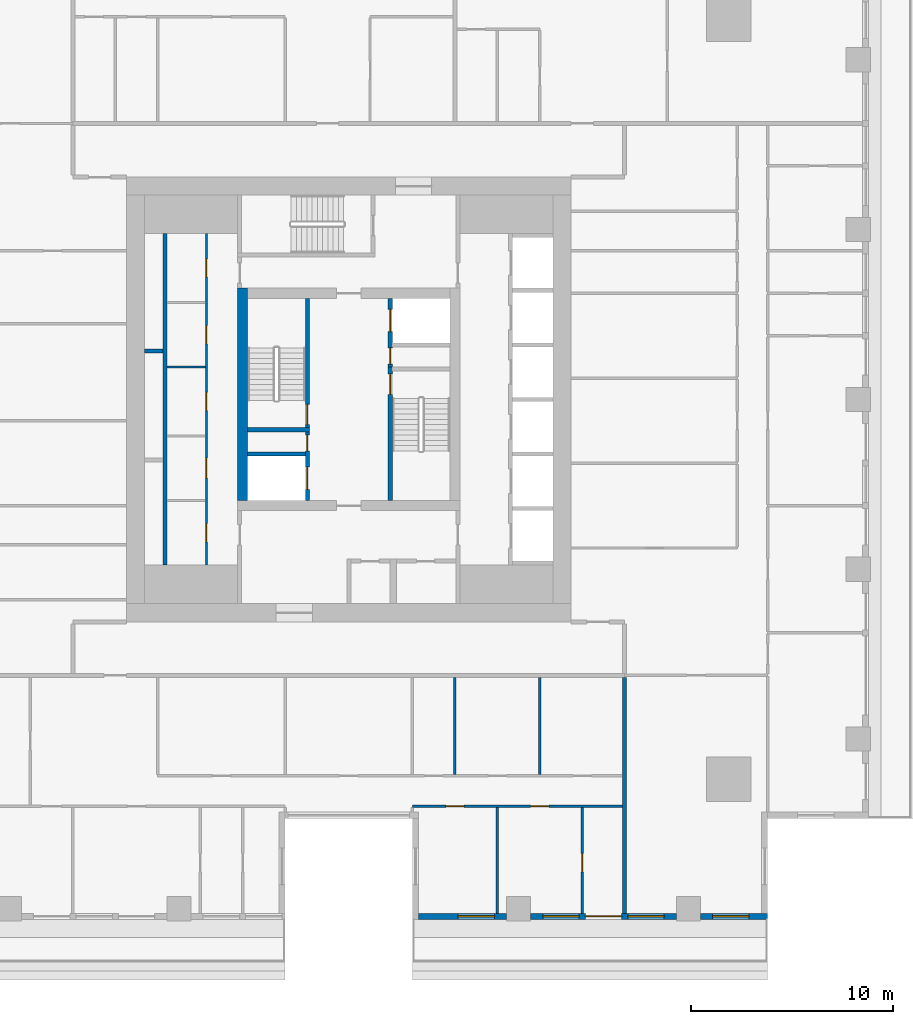
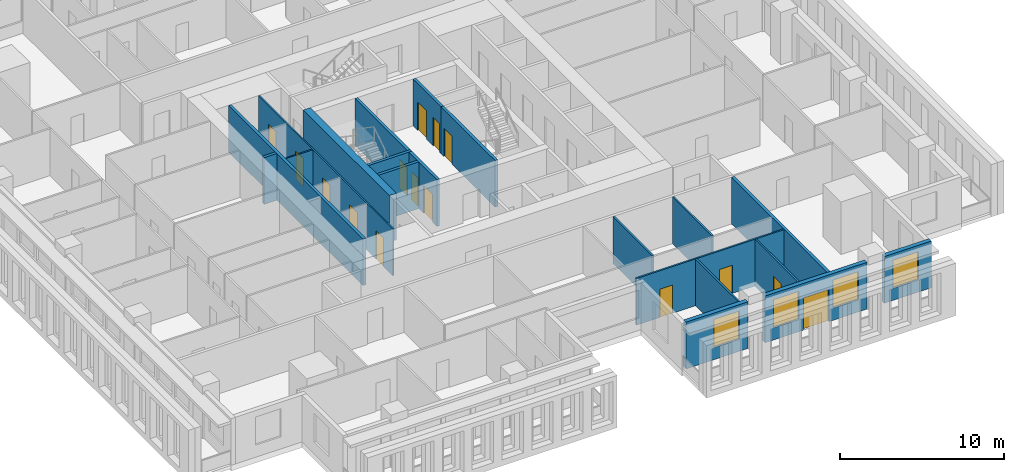
# One storey, part 4 of 15: 20 walls, 15 doors, 4 windows, 19 openings.
"""IFC4 building model written with IfcOpenShell, lengths in metres."""

from ifc_helpers import new_model, si_unit, direction, frame, frame_2d, origin, place, context, subcontext, project, spatial, rectangle, extrude, material, layer, layer_set, type_object, element, fill, save


model = new_model("IFC4")

# Units and contexts
model_context = context("Model", 3, precision=1e-05, world=origin(), true_north=direction((0.0, 1.0)))
body_context = subcontext(model_context, "Body", "Model", "MODEL_VIEW")
ifc_project = project(units=[si_unit("LENGTHUNIT", "METRE"), si_unit("AREAUNIT", "SQUARE_METRE"), si_unit("VOLUMEUNIT", "CUBIC_METRE"), si_unit("PLANEANGLEUNIT", "RADIAN"), si_unit("MASSUNIT", "GRAM", prefix="KILO")], contexts=[model_context])

# Site, building, storey
site_placement = place(None, origin())
site = spatial("IfcSite", under=ifc_project, at=site_placement, CompositionType="ELEMENT")
building_placement = place(site_placement, origin())
building = spatial("IfcBuilding", under=site, at=building_placement, Name="Khepri Terraces", CompositionType="ELEMENT")
storey_placement = place(building_placement, frame((0.0, 0.0, 244.5)))
storey = spatial("IfcBuildingStorey", under=building, at=storey_placement, Name="L58", CompositionType="ELEMENT", Elevation=244.5)

# Wall, opening, door
ifc_material_1 = material(Name="Concrete C40/50", Category="concrete")
ifc_layer_1 = layer(ifc_material_1, 0.199951171875, Name="Concrete C40/50", Category="concrete")
ifc_layer_set_1 = layer_set([ifc_layer_1], Name="Concrete C40/50")
wall_type_1 = type_object("IfcWallType", Name="Core wall 200 C40/50", PredefinedType="SHEAR", material=ifc_layer_set_1)
wall_1_placement = place(storey_placement, frame((2.050048828125, -5.0, 0.0), z_axis=(0.0, 0.0, 1.0), x_axis=(0.0, 1.0, 0.0)))
wall_1 = element("IfcWall", 1, at=wall_1_placement, inside=storey, type_object=wall_type_1, Name="Core wall ST01 L58", PredefinedType="SHEAR", context=body_context, shape_type="SweptSolid", body=[
    extrude(rectangle(XDim=6.60009765625, YDim=0.199951171875, at=frame_2d((3.300048828125, 0.0))), origin(), (0.0, 0.0, 1.0), 3.47998046875),
])
opening_1_placement = place(wall_1_placement, frame((5.25, 0.0, 0.0)))
opening_1 = element("IfcOpeningElement", 2, at=opening_1_placement, cuts=wall_1, Name="Opening L58-C10", PredefinedType="OPENING", context=body_context, shape_type="SweptSolid", body=[
    extrude(rectangle(XDim=1.0, YDim=2.10009765625, at=frame_2d((0.5, 1.050048828125))), frame((0.0, 0.10986328125, 0.0), z_axis=(0.0, -1.0, 0.0), x_axis=(1.0, 0.0, 0.0)), (0.0, 0.0, 1.0), 0.219970703125),
])
ifc_material_2 = material(Name="Painted steel", Category="steel")
door_type_1 = type_object("IfcDoorType", Name="DR-CORE-STAIR-1000", OperationType="NOTDEFINED", PredefinedType="DOOR", material=ifc_material_2)
door_1_placement = place(opening_1_placement, frame((1.0, 0.0, 0.0), z_axis=(0.0, 0.0, 1.0), x_axis=(-1.0, 0.0, 0.0)))
door_1 = element("IfcDoor", 3, at=door_1_placement, inside=storey, type_object=door_type_1, Name="Stair door L58-C10", OperationType="SINGLE_SWING_LEFT", OverallHeight=2.10009765625, OverallWidth=1.0, PredefinedType="DOOR", context=body_context, shape_type="SweptSolid", body=[
    extrude(rectangle(XDim=1.0, YDim=2.10009765625, at=frame_2d((0.5, 1.050048828125))), frame((0.0, 0.02490234375, 0.0), z_axis=(0.0, -1.0, 0.0), x_axis=(1.0, 0.0, 0.0)), (0.0, 0.0, 1.0), 0.050048828125),
])
fill(opening_1, door_1)

# Wall
wall_2_placement = place(storey_placement, frame((-5.0, -1.5, 0.0), z_axis=(0.0, 0.0, 1.0), x_axis=(1.0, 0.0, 0.0)))
element("IfcWall", 4, at=wall_2_placement, inside=storey, type_object=wall_type_1, Name="Core wall ST02 L58", PredefinedType="SHEAR", context=body_context, shape_type="SweptSolid", body=[
    extrude(rectangle(XDim=3.050048828125, YDim=0.199951171875, at=frame_2d((1.52490234375, 0.0))), origin(), (0.0, 0.0, 1.0), 3.47998046875),
])

# Wall, opening, door
wall_3_placement = place(storey_placement, frame((-2.050048828125, -1.39990234375, 0.0), z_axis=(0.0, 0.0, 1.0), x_axis=(0.0, 1.0, 0.0)))
wall_3 = element("IfcWall", 5, at=wall_3_placement, inside=storey, type_object=wall_type_1, Name="Core wall ST03 L58", PredefinedType="SHEAR", context=body_context, shape_type="SweptSolid", body=[
    extrude(rectangle(XDim=6.39990234375, YDim=0.199951171875, at=frame_2d((3.199951171875, 0.0))), origin(), (0.0, 0.0, 1.0), 3.47998046875),
])
opening_2_placement = place(wall_3_placement, frame((0.14990234375, 0.0, 0.0)))
opening_2 = element("IfcOpeningElement", 6, at=opening_2_placement, cuts=wall_3, Name="Opening L58-C09", PredefinedType="OPENING", context=body_context, shape_type="SweptSolid", body=[
    extrude(rectangle(XDim=1.0, YDim=2.10009765625, at=frame_2d((0.5, 1.050048828125))), frame((0.0, 0.10986328125, 0.0), z_axis=(0.0, -1.0, 0.0), x_axis=(1.0, 0.0, 0.0)), (0.0, 0.0, 1.0), 0.219970703125),
])
door_2_placement = place(opening_2_placement, origin())
door_2 = element("IfcDoor", 7, at=door_2_placement, inside=storey, type_object=door_type_1, Name="Stair door L58-C09", OperationType="SINGLE_SWING_LEFT", OverallHeight=2.10009765625, OverallWidth=1.0, PredefinedType="DOOR", context=body_context, shape_type="SweptSolid", body=[
    extrude(rectangle(XDim=1.0, YDim=2.10009765625, at=frame_2d((0.5, 1.050048828125))), frame((0.0, 0.02490234375, 0.0), z_axis=(0.0, -1.0, 0.0), x_axis=(1.0, 0.0, 0.0)), (0.0, 0.0, 1.0), 0.050048828125),
])
fill(opening_2, door_2)

# Wall
wall_4_placement = place(storey_placement, frame((-9.10009765625, -8.199951171875, 0.0), z_axis=(0.0, 0.0, 1.0), x_axis=(0.0, 1.0, 0.0)))
element("IfcWall", 8, at=wall_4_placement, inside=storey, type_object=wall_type_1, Name="Core wall SH01 L58", PredefinedType="SHEAR", context=body_context, shape_type="SweptSolid", body=[
    extrude(rectangle(XDim=16.39990234375, YDim=0.199951171875, at=frame_2d((8.199951171875, 0.0))), origin(), (0.0, 0.0, 1.0), 3.47998046875),
])

# Wall, openings, doors
wall_5_placement = place(storey_placement, frame((-2.050048828125, -5.0, 0.0), z_axis=(0.0, 0.0, 1.0), x_axis=(0.0, 1.0, 0.0)))
wall_5 = element("IfcWall", 9, at=wall_5_placement, inside=storey, type_object=wall_type_1, Name="Core wall SH05 L58", PredefinedType="SHEAR", context=body_context, shape_type="SweptSolid", body=[
    extrude(rectangle(XDim=3.39990234375, YDim=0.199951171875, at=frame_2d((1.699951171875, 0.0))), origin(), (0.0, 0.0, 1.0), 3.47998046875),
])
opening_3_placement = place(wall_5_placement, frame((0.550048828125, 0.0, 0.0)))
opening_3 = element("IfcOpeningElement", 10, at=opening_3_placement, cuts=wall_5, Name="Opening L58-C08", PredefinedType="OPENING", context=body_context, shape_type="SweptSolid", body=[
    extrude(rectangle(XDim=1.10009765625, YDim=2.10009765625, at=frame_2d((0.550048828125, 1.050048828125))), frame((0.0, 0.10986328125, 0.0), z_axis=(0.0, -1.0, 0.0), x_axis=(1.0, 0.0, 0.0)), (0.0, 0.0, 1.0), 0.219970703125),
])
opening_4_placement = place(wall_5_placement, frame((2.449951171875, 0.0, 0.0)))
opening_4 = element("IfcOpeningElement", 11, at=opening_4_placement, cuts=wall_5, Name="Opening L58-C12", PredefinedType="OPENING", context=body_context, shape_type="SweptSolid", body=[
    extrude(rectangle(XDim=0.800048828125, YDim=2.10009765625, at=frame_2d((0.39990234375, 1.050048828125))), frame((0.0, 0.10986328125, 0.0), z_axis=(0.0, -1.0, 0.0), x_axis=(1.0, 0.0, 0.0)), (0.0, 0.0, 1.0), 0.219970703125),
])
ifc_material_3 = material(Name="Stainless steel 304", Category="steel")
door_type_2 = type_object("IfcDoorType", Name="DR-CORE-FF-LANDING-1100", OperationType="NOTDEFINED", PredefinedType="DOOR", material=ifc_material_3)
door_3_placement = place(opening_3_placement, origin())
door_3 = element("IfcDoor", 12, at=door_3_placement, inside=storey, type_object=door_type_2, Name="Firefighting lift landing door L58-C08", OperationType="SLIDING_TO_LEFT", OverallHeight=2.10009765625, OverallWidth=1.10009765625, PredefinedType="DOOR", context=body_context, shape_type="SweptSolid", body=[
    extrude(rectangle(XDim=1.10009765625, YDim=2.10009765625, at=frame_2d((0.550048828125, 1.050048828125))), frame((0.0, 0.02490234375, 0.0), z_axis=(0.0, -1.0, 0.0), x_axis=(1.0, 0.0, 0.0)), (0.0, 0.0, 1.0), 0.050048828125),
])
fill(opening_3, door_3)
door_type_3 = type_object("IfcDoorType", Name="DR-CORE-RISER-800", OperationType="NOTDEFINED", PredefinedType="DOOR", material=ifc_material_2)
door_4_placement = place(opening_4_placement, origin())
door_4 = element("IfcDoor", 13, at=door_4_placement, inside=storey, type_object=door_type_3, Name="Riser door L58-C12", OperationType="SINGLE_SWING_RIGHT", OverallHeight=2.10009765625, OverallWidth=0.800048828125, PredefinedType="DOOR", context=body_context, shape_type="SweptSolid", body=[
    extrude(rectangle(XDim=0.800048828125, YDim=2.10009765625, at=frame_2d((0.39990234375, 1.050048828125))), frame((0.0, 0.02490234375, 0.0), z_axis=(0.0, -1.0, 0.0), x_axis=(1.0, 0.0, 0.0)), (0.0, 0.0, 1.0), 0.050048828125),
])
fill(opening_4, door_4)

# Wall
wall_6_placement = place(storey_placement, frame((-5.0, -2.699951171875, 0.0), z_axis=(0.0, 0.0, 1.0), x_axis=(1.0, 0.0, 0.0)))
element("IfcWall", 14, at=wall_6_placement, inside=storey, type_object=wall_type_1, Name="Core wall SH07 L58", PredefinedType="SHEAR", context=body_context, shape_type="SweptSolid", body=[
    extrude(rectangle(XDim=2.85009765625, YDim=0.199951171875, at=frame_2d((1.425048828125, 0.0))), origin(), (0.0, 0.0, 1.0), 3.47998046875),
])

# Wall, openings, doors
wall_7_placement = place(storey_placement, frame((2.050048828125, 1.60009765625, 0.0), z_axis=(0.0, 0.0, 1.0), x_axis=(0.0, 1.0, 0.0)))
wall_7 = element("IfcWall", 15, at=wall_7_placement, inside=storey, type_object=wall_type_1, Name="Core wall SH10 L58", PredefinedType="SHEAR", context=body_context, shape_type="SweptSolid", body=[
    extrude(rectangle(XDim=3.39990234375, YDim=0.199951171875, at=frame_2d((1.699951171875, 0.0))), origin(), (0.0, 0.0, 1.0), 3.47998046875),
])
opening_5_placement = place(wall_7_placement, frame((1.75, 0.0, 0.0)))
opening_5 = element("IfcOpeningElement", 16, at=opening_5_placement, cuts=wall_7, Name="Opening L58-C07", PredefinedType="OPENING", context=body_context, shape_type="SweptSolid", body=[
    extrude(rectangle(XDim=1.10009765625, YDim=2.10009765625, at=frame_2d((0.550048828125, 1.050048828125))), frame((0.0, 0.10986328125, 0.0), z_axis=(0.0, -1.0, 0.0), x_axis=(1.0, 0.0, 0.0)), (0.0, 0.0, 1.0), 0.219970703125),
])
opening_6_placement = place(wall_7_placement, frame((0.14990234375, 0.0, 0.0)))
opening_6 = element("IfcOpeningElement", 17, at=opening_6_placement, cuts=wall_7, Name="Opening L58-C11", PredefinedType="OPENING", context=body_context, shape_type="SweptSolid", body=[
    extrude(rectangle(XDim=0.800048828125, YDim=2.10009765625, at=frame_2d((0.39990234375, 1.050048828125))), frame((0.0, 0.10986328125, 0.0), z_axis=(0.0, -1.0, 0.0), x_axis=(1.0, 0.0, 0.0)), (0.0, 0.0, 1.0), 0.219970703125),
])
door_5_placement = place(opening_5_placement, origin())
door_5 = element("IfcDoor", 18, at=door_5_placement, inside=storey, type_object=door_type_2, Name="Firefighting lift landing door L58-C07", OperationType="SLIDING_TO_LEFT", OverallHeight=2.10009765625, OverallWidth=1.10009765625, PredefinedType="DOOR", context=body_context, shape_type="SweptSolid", body=[
    extrude(rectangle(XDim=1.10009765625, YDim=2.10009765625, at=frame_2d((0.550048828125, 1.050048828125))), frame((0.0, 0.02490234375, 0.0), z_axis=(0.0, -1.0, 0.0), x_axis=(1.0, 0.0, 0.0)), (0.0, 0.0, 1.0), 0.050048828125),
])
fill(opening_5, door_5)
door_6_placement = place(opening_6_placement, frame((0.800048828125, 0.0, 0.0), z_axis=(0.0, 0.0, 1.0), x_axis=(-1.0, 0.0, 0.0)))
door_6 = element("IfcDoor", 19, at=door_6_placement, inside=storey, type_object=door_type_3, Name="Riser door L58-C11", OperationType="SINGLE_SWING_RIGHT", OverallHeight=2.10009765625, OverallWidth=0.800048828125, PredefinedType="DOOR", context=body_context, shape_type="SweptSolid", body=[
    extrude(rectangle(XDim=0.800048828125, YDim=2.10009765625, at=frame_2d((0.39990234375, 1.050048828125))), frame((0.0, 0.02490234375, 0.0), z_axis=(0.0, -1.0, 0.0), x_axis=(1.0, 0.0, 0.0)), (0.0, 0.0, 1.0), 0.050048828125),
])
fill(opening_6, door_6)

# Walls
wall_8_placement = place(storey_placement, frame((-10.10009765625, 2.39990234375, 0.0), z_axis=(0.0, 0.0, 1.0), x_axis=(1.0, 0.0, 0.0)))
element("IfcWall", 20, at=wall_8_placement, inside=storey, type_object=wall_type_1, Name="Core wall SH11 L58", PredefinedType="SHEAR", context=body_context, shape_type="SweptSolid", body=[
    extrude(rectangle(XDim=0.900146484375, YDim=0.199951171875, at=frame_2d((0.4501953125, 0.0))), origin(), (0.0, 0.0, 1.0), 3.47998046875),
])
ifc_layer_2 = layer(ifc_material_1, 0.5, Name="Concrete C40/50", Category="concrete")
ifc_layer_set_2 = layer_set([ifc_layer_2], Name="Concrete C40/50")
wall_type_2 = type_object("IfcWallType", Name="Core wall 500 C40/50", PredefinedType="SHEAR", material=ifc_layer_set_2)
wall_9_placement = place(storey_placement, frame((-5.25, -5.0, 0.0), z_axis=(0.0, 0.0, 1.0), x_axis=(0.0, 1.0, 0.0)))
element("IfcWall", 21, at=wall_9_placement, inside=storey, type_object=wall_type_2, Name="Core wall BX02 L58", PredefinedType="SHEAR", context=body_context, shape_type="SweptSolid", body=[
    extrude(rectangle(XDim=10.5, YDim=0.5, at=frame_2d((5.25, 0.0))), origin(), (0.0, 0.0, 1.0), 3.47998046875),
])

# Wall, openings, doors
ifc_material_4 = material(Name="Fire-rated gypsum board partition")
ifc_layer_3 = layer(ifc_material_4, 0.10009765625, Name="Fire-rated gypsum board partition")
ifc_layer_set_3 = layer_set([ifc_layer_3], Name="Fire-rated gypsum board partition")
wall_type_3 = type_object("IfcWallType", Name="WL-CORE-PART-100", PredefinedType="PARTITIONING", material=ifc_layer_set_3)
wall_10_placement = place(storey_placement, frame((-7.050048828125, -8.199951171875, 0.0), z_axis=(0.0, 0.0, 1.0), x_axis=(0.0, 1.0, 0.0)))
wall_10 = element("IfcWall", 22, at=wall_10_placement, inside=storey, type_object=wall_type_3, Name="Core partition PT05 L58", PredefinedType="PARTITIONING", context=body_context, shape_type="SweptSolid", body=[
    extrude(rectangle(XDim=16.39990234375, YDim=0.10009765625, at=frame_2d((8.199951171875, 0.0))), origin(), (0.0, 0.0, 1.0), 3.47998046875),
])
opening_7_placement = place(wall_10_placement, frame((1.14990234375, 0.0, 0.0)))
opening_7 = element("IfcOpeningElement", 23, at=opening_7_placement, cuts=wall_10, Name="Opening L58-C24", PredefinedType="OPENING", context=body_context, shape_type="SweptSolid", body=[
    extrude(rectangle(XDim=0.89990234375, YDim=2.10009765625, at=frame_2d((0.449951171875, 1.050048828125))), frame((0.0, 0.06005859375, 0.0), z_axis=(0.0, -1.0, 0.0), x_axis=(1.0, 0.0, 0.0)), (0.0, 0.0, 1.0), 0.1201171875),
])
opening_8_placement = place(wall_10_placement, frame((4.300048828125, 0.0, 0.0)))
opening_8 = element("IfcOpeningElement", 24, at=opening_8_placement, cuts=wall_10, Name="Opening L58-C25", PredefinedType="OPENING", context=body_context, shape_type="SweptSolid", body=[
    extrude(rectangle(XDim=1.0, YDim=2.10009765625, at=frame_2d((0.5, 1.050048828125))), frame((0.0, 0.06005859375, 0.0), z_axis=(0.0, -1.0, 0.0), x_axis=(1.0, 0.0, 0.0)), (0.0, 0.0, 1.0), 0.1201171875),
])
opening_9_placement = place(wall_10_placement, frame((7.64990234375, 0.0, 0.0)))
opening_9 = element("IfcOpeningElement", 25, at=opening_9_placement, cuts=wall_10, Name="Opening L58-C26", PredefinedType="OPENING", context=body_context, shape_type="SweptSolid", body=[
    extrude(rectangle(XDim=0.89990234375, YDim=2.10009765625, at=frame_2d((0.449951171875, 1.050048828125))), frame((0.0, 0.06005859375, 0.0), z_axis=(0.0, -1.0, 0.0), x_axis=(1.0, 0.0, 0.0)), (0.0, 0.0, 1.0), 0.1201171875),
])
opening_10_placement = place(wall_10_placement, frame((10.949951171875, 0.0, 0.0)))
opening_10 = element("IfcOpeningElement", 26, at=opening_10_placement, cuts=wall_10, Name="Opening L58-C27", PredefinedType="OPENING", context=body_context, shape_type="SweptSolid", body=[
    extrude(rectangle(XDim=0.89990234375, YDim=2.10009765625, at=frame_2d((0.449951171875, 1.050048828125))), frame((0.0, 0.06005859375, 0.0), z_axis=(0.0, -1.0, 0.0), x_axis=(1.0, 0.0, 0.0)), (0.0, 0.0, 1.0), 0.1201171875),
])
opening_11_placement = place(wall_10_placement, frame((14.25, 0.0, 0.0)))
opening_11 = element("IfcOpeningElement", 27, at=opening_11_placement, cuts=wall_10, Name="Opening L58-C28", PredefinedType="OPENING", context=body_context, shape_type="SweptSolid", body=[
    extrude(rectangle(XDim=0.89990234375, YDim=2.10009765625, at=frame_2d((0.449951171875, 1.050048828125))), frame((0.0, 0.06005859375, 0.0), z_axis=(0.0, -1.0, 0.0), x_axis=(1.0, 0.0, 0.0)), (0.0, 0.0, 1.0), 0.1201171875),
])
door_type_4 = type_object("IfcDoorType", Name="DR-CORE-SERVICE-900", OperationType="NOTDEFINED", PredefinedType="DOOR", material=ifc_material_2)
door_7_placement = place(opening_7_placement, origin())
door_7 = element("IfcDoor", 28, at=door_7_placement, inside=storey, type_object=door_type_4, Name="Service room door L58-C24", OperationType="SINGLE_SWING_LEFT", OverallHeight=2.10009765625, OverallWidth=0.89990234375, PredefinedType="DOOR", context=body_context, shape_type="SweptSolid", body=[
    extrude(rectangle(XDim=0.89990234375, YDim=2.10009765625, at=frame_2d((0.449951171875, 1.050048828125))), frame((0.0, 0.02490234375, 0.0), z_axis=(0.0, -1.0, 0.0), x_axis=(1.0, 0.0, 0.0)), (0.0, 0.0, 1.0), 0.050048828125),
])
fill(opening_7, door_7)
door_8_placement = place(opening_9_placement, origin())
door_8 = element("IfcDoor", 29, at=door_8_placement, inside=storey, type_object=door_type_4, Name="Service room door L58-C26", OperationType="SINGLE_SWING_LEFT", OverallHeight=2.10009765625, OverallWidth=0.89990234375, PredefinedType="DOOR", context=body_context, shape_type="SweptSolid", body=[
    extrude(rectangle(XDim=0.89990234375, YDim=2.10009765625, at=frame_2d((0.449951171875, 1.050048828125))), frame((0.0, 0.02490234375, 0.0), z_axis=(0.0, -1.0, 0.0), x_axis=(1.0, 0.0, 0.0)), (0.0, 0.0, 1.0), 0.050048828125),
])
fill(opening_9, door_8)
door_9_placement = place(opening_10_placement, origin())
door_9 = element("IfcDoor", 30, at=door_9_placement, inside=storey, type_object=door_type_4, Name="Service room door L58-C27", OperationType="SINGLE_SWING_RIGHT", OverallHeight=2.10009765625, OverallWidth=0.89990234375, PredefinedType="DOOR", context=body_context, shape_type="SweptSolid", body=[
    extrude(rectangle(XDim=0.89990234375, YDim=2.10009765625, at=frame_2d((0.449951171875, 1.050048828125))), frame((0.0, 0.02490234375, 0.0), z_axis=(0.0, -1.0, 0.0), x_axis=(1.0, 0.0, 0.0)), (0.0, 0.0, 1.0), 0.050048828125),
])
fill(opening_10, door_9)
door_10_placement = place(opening_11_placement, origin())
door_10 = element("IfcDoor", 31, at=door_10_placement, inside=storey, type_object=door_type_4, Name="Service room door L58-C28", OperationType="SINGLE_SWING_RIGHT", OverallHeight=2.10009765625, OverallWidth=0.89990234375, PredefinedType="DOOR", context=body_context, shape_type="SweptSolid", body=[
    extrude(rectangle(XDim=0.89990234375, YDim=2.10009765625, at=frame_2d((0.449951171875, 1.050048828125))), frame((0.0, 0.02490234375, 0.0), z_axis=(0.0, -1.0, 0.0), x_axis=(1.0, 0.0, 0.0)), (0.0, 0.0, 1.0), 0.050048828125),
])
fill(opening_11, door_10)
ifc_material_5 = material(Name="Timber veneer", Category="wood")
door_type_5 = type_object("IfcDoorType", Name="DR-CORE-WC-1000", OperationType="NOTDEFINED", PredefinedType="DOOR", material=ifc_material_5)
door_11_placement = place(opening_8_placement, origin())
door_11 = element("IfcDoor", 32, at=door_11_placement, inside=storey, type_object=door_type_5, Name="WC door L58-C25", OperationType="SINGLE_SWING_LEFT", OverallHeight=2.10009765625, OverallWidth=1.0, PredefinedType="DOOR", context=body_context, shape_type="SweptSolid", body=[
    extrude(rectangle(XDim=1.0, YDim=2.10009765625, at=frame_2d((0.5, 1.050048828125))), frame((0.0, 0.02490234375, 0.0), z_axis=(0.0, -1.0, 0.0), x_axis=(1.0, 0.0, 0.0)), (0.0, 0.0, 1.0), 0.050048828125),
])
fill(opening_8, door_11)

# Walls
wall_11_placement = place(storey_placement, frame((-9.0, 1.60009765625, 0.0), z_axis=(0.0, 0.0, 1.0), x_axis=(1.0, 0.0, 0.0)))
element("IfcWall", 33, at=wall_11_placement, inside=storey, type_object=wall_type_3, Name="Core partition PT10 L58", PredefinedType="PARTITIONING", context=body_context, shape_type="SweptSolid", body=[
    extrude(rectangle(XDim=1.89990234375, YDim=0.10009765625, at=frame_2d((0.949951171875, 0.0))), origin(), (0.0, 0.0, 1.0), 3.47998046875),
])
ifc_material_6 = material(Name="Fire-rated gypsum plasterboard partition, mineral wool")
ifc_layer_4 = layer(ifc_material_6, 0.199951171875, Name="Fire-rated gypsum plasterboard partition, mineral wool")
ifc_layer_set_4 = layer_set([ifc_layer_4], Name="Fire-rated gypsum plasterboard partition, mineral wool")
wall_type_4 = type_object("IfcWallType", Name="WL-CORR-200", PredefinedType="PARTITIONING", material=ifc_layer_set_4)
wall_12_placement = place(storey_placement, frame((13.64990234375, -25.419921875, 0.0), z_axis=(0.0, 0.0, 1.0), x_axis=(0.0, 1.0, 0.0)))
element("IfcWall", 34, at=wall_12_placement, inside=storey, type_object=wall_type_4, Name="Partition P-006 L58", PredefinedType="PARTITIONING", context=body_context, shape_type="SweptSolid", body=[
    extrude(rectangle(XDim=11.669921875, YDim=0.199951171875, at=frame_2d((5.8349609375, 0.0))), origin(), (0.0, 0.0, 1.0), 3.47998046875),
])

# Wall, opening, window
ifc_material_7 = material(Name="Precast concrete C50/60 warm stone", Category="masonry")
ifc_layer_5 = layer(ifc_material_7, 0.300048828125, Name="Precast concrete C50/60 warm stone", Category="masonry")
ifc_layer_set_5 = layer_set([ifc_layer_5], Name="Precast concrete C50/60 warm stone")
wall_type_5 = type_object("IfcWallType", Name="WL-EXT-PRECAST-300", PredefinedType="STANDARD", material=ifc_layer_set_5)
wall_13_placement = place(storey_placement, frame((3.449951171875, -25.570068359375, 0.0), z_axis=(0.0, 0.0, 1.0), x_axis=(1.0, 0.0, 0.0)))
wall_13 = element("IfcWall", 35, at=wall_13_placement, inside=storey, type_object=wall_type_5, Name="External wall L58 S", PredefinedType="STANDARD", context=body_context, shape_type="SweptSolid", body=[
    extrude(rectangle(XDim=4.35009765625, YDim=0.300048828125, at=frame_2d((2.175048828125, 0.0))), origin(), (0.0, 0.0, 1.0), 3.47998046875),
])
opening_12_placement = place(wall_13_placement, frame((1.949951171875, 0.0, 0.89990234375)))
opening_12 = element("IfcOpeningElement", 36, at=opening_12_placement, cuts=wall_13, Name="Opening W1", PredefinedType="OPENING", context=body_context, shape_type="SweptSolid", body=[
    extrude(rectangle(XDim=1.800048828125, YDim=2.10009765625, at=frame_2d((0.89990234375, 1.050048828125))), frame((0.0, 0.16015625, 0.0), z_axis=(0.0, -1.0, 0.0), x_axis=(1.0, 0.0, 0.0)), (0.0, 0.0, 1.0), 0.320068359375),
])
ifc_material_8 = material(Name="Clear glass", Category="glass")
window_type = type_object("IfcWindowType", Name="WIN-RES-1800x2100", PartitioningType="SINGLE_PANEL", PredefinedType="WINDOW", material=ifc_material_8)
window_1_placement = place(opening_12_placement, origin())
window_1 = element("IfcWindow", 37, at=window_1_placement, inside=storey, type_object=window_type, Name="Window L58 S", OverallHeight=2.10009765625, OverallWidth=1.800048828125, PartitioningType="SINGLE_PANEL", PredefinedType="WINDOW", context=body_context, shape_type="SweptSolid", body=[
    extrude(rectangle(XDim=1.800048828125, YDim=2.10009765625, at=frame_2d((0.89990234375, 1.050048828125))), frame((0.0, 0.030029296875, 0.0), z_axis=(0.0, -1.0, 0.0), x_axis=(1.0, 0.0, 0.0)), (0.0, 0.0, 1.0), 0.06005859375),
])
fill(opening_12, window_1)

# Wall, openings, door, windows
wall_14_placement = place(storey_placement, frame((9.0, -25.570068359375, 0.0), z_axis=(0.0, 0.0, 1.0), x_axis=(1.0, 0.0, 0.0)))
wall_14 = element("IfcWall", 38, at=wall_14_placement, inside=storey, type_object=wall_type_5, Name="External wall L58 S", PredefinedType="STANDARD", context=body_context, shape_type="SweptSolid", body=[
    extrude(rectangle(XDim=7.199951171875, YDim=0.300048828125, at=frame_2d((3.60009765625, 0.0))), origin(), (0.0, 0.0, 1.0), 3.47998046875),
])
opening_13_placement = place(wall_14_placement, frame((0.60009765625, 0.0, 0.89990234375)))
opening_13 = element("IfcOpeningElement", 39, at=opening_13_placement, cuts=wall_14, Name="Opening W1", PredefinedType="OPENING", context=body_context, shape_type="SweptSolid", body=[
    extrude(rectangle(XDim=1.800048828125, YDim=2.10009765625, at=frame_2d((0.89990234375, 1.050048828125))), frame((0.0, 0.16015625, 0.0), z_axis=(0.0, -1.0, 0.0), x_axis=(1.0, 0.0, 0.0)), (0.0, 0.0, 1.0), 0.320068359375),
])
opening_14_placement = place(wall_14_placement, frame((2.699951171875, 0.0, 0.0)))
opening_14 = element("IfcOpeningElement", 40, at=opening_14_placement, cuts=wall_14, Name="Opening ED-L58-19", PredefinedType="OPENING", context=body_context, shape_type="SweptSolid", body=[
    extrude(rectangle(XDim=1.800048828125, YDim=2.39990234375, at=frame_2d((0.89990234375, 1.199951171875))), frame((0.0, 0.16015625, 0.0), z_axis=(0.0, -1.0, 0.0), x_axis=(1.0, 0.0, 0.0)), (0.0, 0.0, 1.0), 0.320068359375),
])
opening_15_placement = place(wall_14_placement, frame((4.800048828125, 0.0, 0.89990234375)))
opening_15 = element("IfcOpeningElement", 41, at=opening_15_placement, cuts=wall_14, Name="Opening W1", PredefinedType="OPENING", context=body_context, shape_type="SweptSolid", body=[
    extrude(rectangle(XDim=1.800048828125, YDim=2.10009765625, at=frame_2d((0.89990234375, 1.050048828125))), frame((0.0, 0.16015625, 0.0), z_axis=(0.0, -1.0, 0.0), x_axis=(1.0, 0.0, 0.0)), (0.0, 0.0, 1.0), 0.320068359375),
])
ifc_material_9 = material(Name="Anodised aluminium bronze glazed door", Category="aluminium")
door_type_6 = type_object("IfcDoorType", Name="DR-BAL-SLIDE-1800x2400", OperationType="NOTDEFINED", PredefinedType="DOOR", material=ifc_material_9)
door_12_placement = place(opening_14_placement, origin())
door_12 = element("IfcDoor", 42, at=door_12_placement, inside=storey, type_object=door_type_6, Name="Balcony door L58 S", OperationType="SLIDING_TO_RIGHT", OverallHeight=2.39990234375, OverallWidth=1.800048828125, PredefinedType="DOOR", context=body_context, shape_type="SweptSolid", body=[
    extrude(rectangle(XDim=1.800048828125, YDim=2.39990234375, at=frame_2d((0.89990234375, 1.199951171875))), frame((0.0, 0.02490234375, 0.0), z_axis=(0.0, -1.0, 0.0), x_axis=(1.0, 0.0, 0.0)), (0.0, 0.0, 1.0), 0.050048828125),
])
fill(opening_14, door_12)
window_2_placement = place(opening_13_placement, origin())
window_2 = element("IfcWindow", 43, at=window_2_placement, inside=storey, type_object=window_type, Name="Window L58 S", OverallHeight=2.10009765625, OverallWidth=1.800048828125, PartitioningType="SINGLE_PANEL", PredefinedType="WINDOW", context=body_context, shape_type="SweptSolid", body=[
    extrude(rectangle(XDim=1.800048828125, YDim=2.10009765625, at=frame_2d((0.89990234375, 1.050048828125))), frame((0.0, 0.030029296875, 0.0), z_axis=(0.0, -1.0, 0.0), x_axis=(1.0, 0.0, 0.0)), (0.0, 0.0, 1.0), 0.06005859375),
])
fill(opening_13, window_2)
window_3_placement = place(opening_15_placement, origin())
window_3 = element("IfcWindow", 44, at=window_3_placement, inside=storey, type_object=window_type, Name="Window L58 S", OverallHeight=2.10009765625, OverallWidth=1.800048828125, PartitioningType="SINGLE_PANEL", PredefinedType="WINDOW", context=body_context, shape_type="SweptSolid", body=[
    extrude(rectangle(XDim=1.800048828125, YDim=2.10009765625, at=frame_2d((0.89990234375, 1.050048828125))), frame((0.0, 0.030029296875, 0.0), z_axis=(0.0, -1.0, 0.0), x_axis=(1.0, 0.0, 0.0)), (0.0, 0.0, 1.0), 0.06005859375),
])
fill(opening_15, window_3)

# Wall, opening, window
wall_15_placement = place(storey_placement, frame((17.39990234375, -25.570068359375, 0.0), z_axis=(0.0, 0.0, 1.0), x_axis=(1.0, 0.0, 0.0)))
wall_15 = element("IfcWall", 45, at=wall_15_placement, inside=storey, type_object=wall_type_5, Name="External wall L58 S", PredefinedType="STANDARD", context=body_context, shape_type="SweptSolid", body=[
    extrude(rectangle(XDim=3.320068359375, YDim=0.300048828125, at=frame_2d((1.66015625, 0.0))), origin(), (0.0, 0.0, 1.0), 3.47998046875),
])
opening_16_placement = place(wall_15_placement, frame((0.60009765625, 0.0, 0.89990234375)))
opening_16 = element("IfcOpeningElement", 46, at=opening_16_placement, cuts=wall_15, Name="Opening W1", PredefinedType="OPENING", context=body_context, shape_type="SweptSolid", body=[
    extrude(rectangle(XDim=1.800048828125, YDim=2.10009765625, at=frame_2d((0.89990234375, 1.050048828125))), frame((0.0, 0.16015625, 0.0), z_axis=(0.0, -1.0, 0.0), x_axis=(1.0, 0.0, 0.0)), (0.0, 0.0, 1.0), 0.320068359375),
])
window_4_placement = place(opening_16_placement, origin())
window_4 = element("IfcWindow", 47, at=window_4_placement, inside=storey, type_object=window_type, Name="Window L58 S", OverallHeight=2.10009765625, OverallWidth=1.800048828125, PartitioningType="SINGLE_PANEL", PredefinedType="WINDOW", context=body_context, shape_type="SweptSolid", body=[
    extrude(rectangle(XDim=1.800048828125, YDim=2.10009765625, at=frame_2d((0.89990234375, 1.050048828125))), frame((0.0, 0.030029296875, 0.0), z_axis=(0.0, -1.0, 0.0), x_axis=(1.0, 0.0, 0.0)), (0.0, 0.0, 1.0), 0.06005859375),
])
fill(opening_16, window_4)

# Wall
ifc_material_10 = material(Name="Gypsum plasterboard partition")
ifc_layer_6 = layer(ifc_material_10, 0.1201171875, Name="Gypsum plasterboard partition")
ifc_layer_set_6 = layer_set([ifc_layer_6], Name="Gypsum plasterboard partition")
wall_type_6 = type_object("IfcWallType", Name="WL-PART-120", PredefinedType="PARTITIONING", material=ifc_layer_set_6)
wall_16_placement = place(storey_placement, frame((7.35009765625, -25.419921875, 0.0), z_axis=(0.0, 0.0, 1.0), x_axis=(0.0, 1.0, 0.0)))
element("IfcWall", 48, at=wall_16_placement, inside=storey, type_object=wall_type_6, Name="Partition P-004 L58", PredefinedType="PARTITIONING", context=body_context, shape_type="SweptSolid", body=[
    extrude(rectangle(XDim=5.239990234375, YDim=0.1201171875, at=frame_2d((2.6201171875, 0.0))), origin(), (0.0, 0.0, 1.0), 3.47998046875),
])

# Wall, opening, door
wall_17_placement = place(storey_placement, frame((11.550048828125, -25.419921875, 0.0), z_axis=(0.0, 0.0, 1.0), x_axis=(0.0, 1.0, 0.0)))
wall_17 = element("IfcWall", 49, at=wall_17_placement, inside=storey, type_object=wall_type_6, Name="Partition P-005 L58", PredefinedType="PARTITIONING", context=body_context, shape_type="SweptSolid", body=[
    extrude(rectangle(XDim=5.239990234375, YDim=0.1201171875, at=frame_2d((2.6201171875, 0.0))), origin(), (0.0, 0.0, 1.0), 3.47998046875),
])
opening_17_placement = place(wall_17_placement, frame((2.050048828125, 0.0, 0.0)))
opening_17 = element("IfcOpeningElement", 50, at=opening_17_placement, cuts=wall_17, Name="Opening D4", PredefinedType="OPENING", context=body_context, shape_type="SweptSolid", body=[
    extrude(rectangle(XDim=0.89990234375, YDim=2.10009765625, at=frame_2d((0.449951171875, 1.050048828125))), frame((0.0, 0.070068359375, 0.0), z_axis=(0.0, -1.0, 0.0), x_axis=(1.0, 0.0, 0.0)), (0.0, 0.0, 1.0), 0.14013671875),
])
ifc_material_11 = material(Name="Timber door leaf, moisture resistant", Category="wood")
door_type_7 = type_object("IfcDoorType", Name="DR-WET-900", OperationType="NOTDEFINED", PredefinedType="DOOR", material=ifc_material_11)
door_13_placement = place(opening_17_placement, frame((0.89990234375, 0.0, 0.0), z_axis=(0.0, 0.0, 1.0), x_axis=(-1.0, 0.0, 0.0)))
door_13 = element("IfcDoor", 51, at=door_13_placement, inside=storey, type_object=door_type_7, Name="Door Bathroom", OperationType="SINGLE_SWING_RIGHT", OverallHeight=2.10009765625, OverallWidth=0.89990234375, PredefinedType="DOOR", context=body_context, shape_type="SweptSolid", body=[
    extrude(rectangle(XDim=0.89990234375, YDim=2.10009765625, at=frame_2d((0.449951171875, 1.050048828125))), frame((0.0, 0.02490234375, 0.0), z_axis=(0.0, -1.0, 0.0), x_axis=(1.0, 0.0, 0.0)), (0.0, 0.0, 1.0), 0.050048828125),
])
fill(opening_17, door_13)

# Wall, openings, doors
wall_18_placement = place(storey_placement, frame((3.14990234375, -20.1201171875, 0.0), z_axis=(0.0, 0.0, 1.0), x_axis=(1.0, 0.0, 0.0)))
wall_18 = element("IfcWall", 52, at=wall_18_placement, inside=storey, type_object=wall_type_6, Name="Partition P-012 L58", PredefinedType="PARTITIONING", context=body_context, shape_type="SweptSolid", body=[
    extrude(rectangle(XDim=10.400146484375, YDim=0.1201171875, at=frame_2d((5.2001953125, 0.0))), origin(), (0.0, 0.0, 1.0), 3.47998046875),
])
opening_18_placement = place(wall_18_placement, frame((1.64990234375, 0.0, 0.0)))
opening_18 = element("IfcOpeningElement", 53, at=opening_18_placement, cuts=wall_18, Name="Opening D3", PredefinedType="OPENING", context=body_context, shape_type="SweptSolid", body=[
    extrude(rectangle(XDim=0.89990234375, YDim=2.10009765625, at=frame_2d((0.449951171875, 1.050048828125))), frame((0.0, 0.070068359375, 0.0), z_axis=(0.0, -1.0, 0.0), x_axis=(1.0, 0.0, 0.0)), (0.0, 0.0, 1.0), 0.14013671875),
])
opening_19_placement = place(wall_18_placement, frame((5.85009765625, 0.0, 0.0)))
opening_19 = element("IfcOpeningElement", 54, at=opening_19_placement, cuts=wall_18, Name="Opening D3", PredefinedType="OPENING", context=body_context, shape_type="SweptSolid", body=[
    extrude(rectangle(XDim=0.89990234375, YDim=2.10009765625, at=frame_2d((0.449951171875, 1.050048828125))), frame((0.0, 0.070068359375, 0.0), z_axis=(0.0, -1.0, 0.0), x_axis=(1.0, 0.0, 0.0)), (0.0, 0.0, 1.0), 0.14013671875),
])
ifc_material_12 = material(Name="Timber door leaf", Category="wood")
door_type_8 = type_object("IfcDoorType", Name="DR-INT-900", OperationType="NOTDEFINED", PredefinedType="DOOR", material=ifc_material_12)
door_14_placement = place(opening_18_placement, frame((0.89990234375, 0.0, 0.0), z_axis=(0.0, 0.0, 1.0), x_axis=(-1.0, 0.0, 0.0)))
door_14 = element("IfcDoor", 55, at=door_14_placement, inside=storey, type_object=door_type_8, Name="Door Home Office", OperationType="SINGLE_SWING_RIGHT", OverallHeight=2.10009765625, OverallWidth=0.89990234375, PredefinedType="DOOR", context=body_context, shape_type="SweptSolid", body=[
    extrude(rectangle(XDim=0.89990234375, YDim=2.10009765625, at=frame_2d((0.449951171875, 1.050048828125))), frame((0.0, 0.02490234375, 0.0), z_axis=(0.0, -1.0, 0.0), x_axis=(1.0, 0.0, 0.0)), (0.0, 0.0, 1.0), 0.050048828125),
])
fill(opening_18, door_14)
door_15_placement = place(opening_19_placement, frame((0.89990234375, 0.0, 0.0), z_axis=(0.0, 0.0, 1.0), x_axis=(-1.0, 0.0, 0.0)))
door_15 = element("IfcDoor", 56, at=door_15_placement, inside=storey, type_object=door_type_8, Name="Door Bedroom", OperationType="SINGLE_SWING_LEFT", OverallHeight=2.10009765625, OverallWidth=0.89990234375, PredefinedType="DOOR", context=body_context, shape_type="SweptSolid", body=[
    extrude(rectangle(XDim=0.89990234375, YDim=2.10009765625, at=frame_2d((0.449951171875, 1.050048828125))), frame((0.0, 0.02490234375, 0.0), z_axis=(0.0, -1.0, 0.0), x_axis=(1.0, 0.0, 0.0)), (0.0, 0.0, 1.0), 0.050048828125),
])
fill(opening_19, door_15)

# Walls
for number, where, z_axis, x_axis, name in (
    (57, (5.25, -18.56005859375, 0.0), (0.0, 0.0, 1.0), (0.0, 1.0, 0.0), "Partition P-018 L58"),
    (58, (9.449951171875, -18.56005859375, 0.0), (0.0, 0.0, 1.0), (0.0, 1.0, 0.0), "Partition P-019 L58"),
):
    element("IfcWall", number, at=place(storey_placement, frame(where, z_axis=z_axis, x_axis=x_axis)), inside=storey, type_object=wall_type_6, Name=name, PredefinedType="PARTITIONING", context=body_context, shape_type="SweptSolid", body=[
        extrude(rectangle(XDim=4.81005859375, YDim=0.1201171875, at=frame_2d((2.405029296875, 0.0))), origin(), (0.0, 0.0, 1.0), 3.47998046875),
    ])

save(model, "model.ifc")
